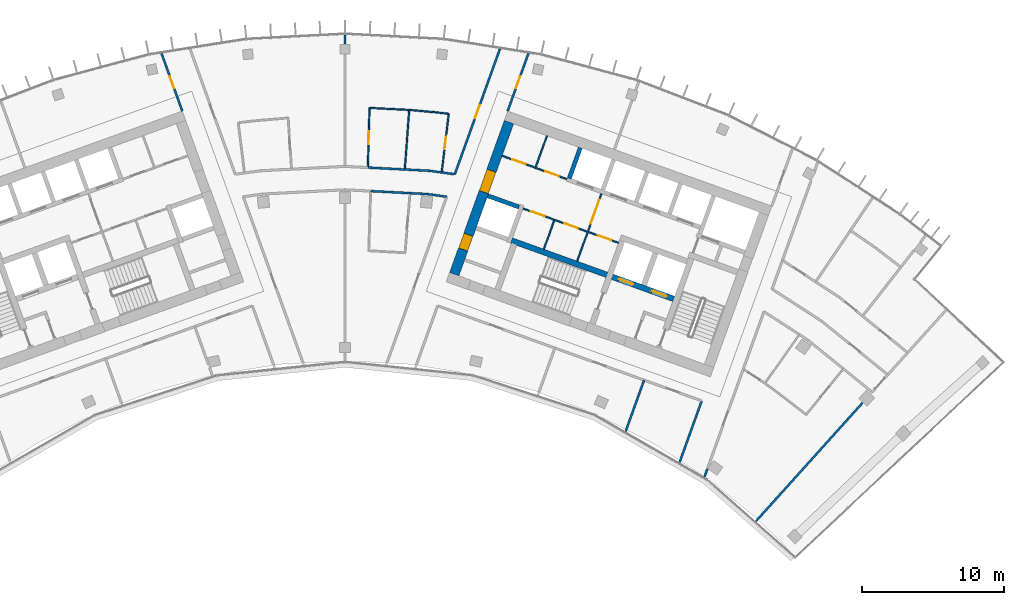
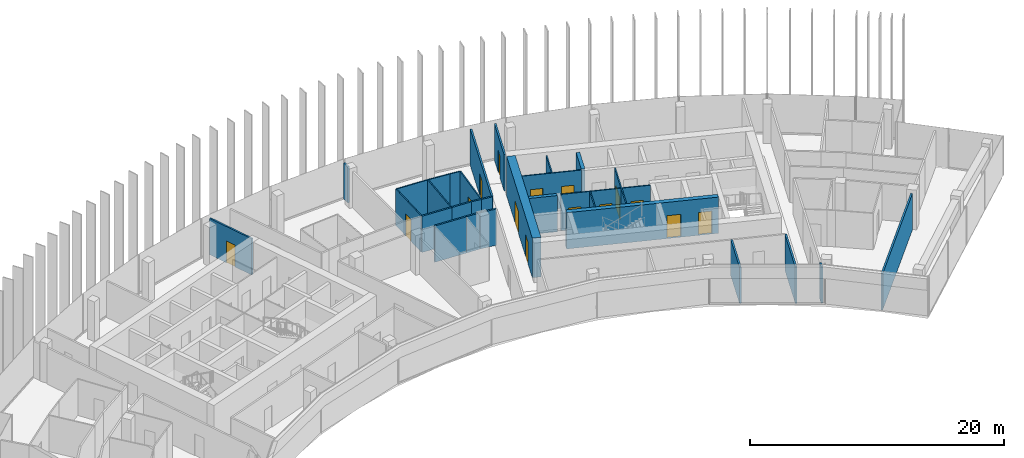
# One storey, part 16 of 19: 30 walls, 15 doors, 15 openings.
"""IFC4 building model written with IfcOpenShell, lengths in metres."""

from ifc_helpers import new_model, si_unit, direction, frame, frame_2d, origin, place, context, subcontext, project, spatial, rectangle, extrude, material, layer, layer_set, type_object, element, fill, save


model = new_model("IFC4")

# Units and contexts
model_context = context("Model", 3, precision=1e-05, world=origin(), true_north=direction((0.0, 1.0)))
body_context = subcontext(model_context, "Body", "Model", "MODEL_VIEW")
ifc_project = project(units=[si_unit("LENGTHUNIT", "METRE"), si_unit("AREAUNIT", "SQUARE_METRE"), si_unit("VOLUMEUNIT", "CUBIC_METRE"), si_unit("PLANEANGLEUNIT", "RADIAN"), si_unit("MASSUNIT", "GRAM", prefix="KILO")], contexts=[model_context])

# Site, building, storey
site_placement = place(None, origin())
site = spatial("IfcSite", under=ifc_project, at=site_placement, CompositionType="ELEMENT")
building_placement = place(site_placement, origin())
building = spatial("IfcBuilding", under=site, at=building_placement, Name="Stone Belt Terrace Tower", CompositionType="ELEMENT")
storey_placement = place(building_placement, frame((0.0, 0.0, 280.800048828125)))
storey = spatial("IfcBuildingStorey", under=building, at=storey_placement, Name="L68", CompositionType="ELEMENT", Elevation=280.800048828125)

# Wall, openings, doors
ifc_material_1 = material(Name="Plasterboard partition")
ifc_layer_1 = layer(ifc_material_1, 0.10009765625)
ifc_layer_set_1 = layer_set([ifc_layer_1], Name="Core partition 100")
wall_type_1 = type_object("IfcWallType", Name="Core partition 100", PredefinedType="PARTITIONING", material=ifc_layer_set_1)
wall_1_placement = place(storey_placement, frame((19.29052734375, 51.829833984375, 0.0), z_axis=(0.0, 0.0, 1.0), x_axis=(-0.94092179465, 0.338623945331, 0.0)))
wall_1 = element("IfcWall", 1, at=wall_1_placement, inside=storey, type_object=wall_type_1, Name="Core B wall", PredefinedType="PARTITIONING", context=body_context, shape_type="SweptSolid", body=[
    extrude(rectangle(XDim=7.14990234375, YDim=0.10009765625, at=frame_2d((3.574951171875, 0.0))), origin(), (0.0, 0.0, 1.0), 3.47998046875),
])
opening_1_placement = place(wall_1_placement, frame((0.550048828125, 0.0, 0.0)))
opening_1 = element("IfcOpeningElement", 2, at=opening_1_placement, cuts=wall_1, Name="Opening L68-C19", PredefinedType="OPENING", context=body_context, shape_type="SweptSolid", body=[
    extrude(rectangle(XDim=1.0, YDim=2.10009765625, at=frame_2d((0.5, 1.050048828125))), frame((0.0, 0.06005859375, 0.0), z_axis=(0.0, -1.0, 0.0), x_axis=(1.0, 0.0, 0.0)), (0.0, 0.0, 1.0), 0.1201171875),
])
opening_2_placement = place(wall_1_placement, frame((3.050048828125, 0.0, 0.0)))
opening_2 = element("IfcOpeningElement", 3, at=opening_2_placement, cuts=wall_1, Name="Opening L68-C20", PredefinedType="OPENING", context=body_context, shape_type="SweptSolid", body=[
    extrude(rectangle(XDim=1.0, YDim=2.10009765625, at=frame_2d((0.5, 1.050048828125))), frame((0.0, 0.06005859375, 0.0), z_axis=(0.0, -1.0, 0.0), x_axis=(1.0, 0.0, 0.0)), (0.0, 0.0, 1.0), 0.1201171875),
])
opening_3_placement = place(wall_1_placement, frame((5.550048828125, 0.0, 0.0)))
opening_3 = element("IfcOpeningElement", 4, at=opening_3_placement, cuts=wall_1, Name="Opening L68-C21", PredefinedType="OPENING", context=body_context, shape_type="SweptSolid", body=[
    extrude(rectangle(XDim=1.0, YDim=2.10009765625, at=frame_2d((0.5, 1.050048828125))), frame((0.0, 0.06005859375, 0.0), z_axis=(0.0, -1.0, 0.0), x_axis=(1.0, 0.0, 0.0)), (0.0, 0.0, 1.0), 0.1201171875),
])
ifc_material_2 = material(Name="Timber door leaf", Category="wood")
door_type_1 = type_object("IfcDoorType", Name="Core room door 1000", OperationType="SINGLE_SWING_LEFT", PredefinedType="DOOR", material=ifc_material_2)
door_1_placement = place(opening_1_placement, origin())
door_1 = element("IfcDoor", 5, at=door_1_placement, inside=storey, type_object=door_type_1, Name="Door to Electrical room core B", OperationType="SINGLE_SWING_RIGHT", OverallHeight=2.10009765625, OverallWidth=1.0, PredefinedType="DOOR", context=body_context, shape_type="SweptSolid", body=[
    extrude(rectangle(XDim=1.0, YDim=2.10009765625, at=frame_2d((0.5, 1.050048828125))), frame((0.0, 0.02490234375, 0.0), z_axis=(0.0, -1.0, 0.0), x_axis=(1.0, 0.0, 0.0)), (0.0, 0.0, 1.0), 0.050048828125),
])
fill(opening_1, door_1)
door_2_placement = place(opening_2_placement, origin())
door_2 = element("IfcDoor", 6, at=door_2_placement, inside=storey, type_object=door_type_1, Name="Door to Ventilation plant room core B", OperationType="SINGLE_SWING_LEFT", OverallHeight=2.10009765625, OverallWidth=1.0, PredefinedType="DOOR", context=body_context, shape_type="SweptSolid", body=[
    extrude(rectangle(XDim=1.0, YDim=2.10009765625, at=frame_2d((0.5, 1.050048828125))), frame((0.0, 0.02490234375, 0.0), z_axis=(0.0, -1.0, 0.0), x_axis=(1.0, 0.0, 0.0)), (0.0, 0.0, 1.0), 0.050048828125),
])
fill(opening_2, door_2)
door_3_placement = place(opening_3_placement, origin())
door_3 = element("IfcDoor", 7, at=door_3_placement, inside=storey, type_object=door_type_1, Name="Door to Services store core B", OperationType="SINGLE_SWING_RIGHT", OverallHeight=2.10009765625, OverallWidth=1.0, PredefinedType="DOOR", context=body_context, shape_type="SweptSolid", body=[
    extrude(rectangle(XDim=1.0, YDim=2.10009765625, at=frame_2d((0.5, 1.050048828125))), frame((0.0, 0.02490234375, 0.0), z_axis=(0.0, -1.0, 0.0), x_axis=(1.0, 0.0, 0.0)), (0.0, 0.0, 1.0), 0.050048828125),
])
fill(opening_3, door_3)

# Wall, opening, door
wall_2_placement = place(storey_placement, frame((16.38134765625, 50.53857421875, 0.0), z_axis=(0.0, 0.0, 1.0), x_axis=(0.33860476744, 0.940928696271, 0.0)))
wall_2 = element("IfcWall", 8, at=wall_2_placement, inside=storey, type_object=wall_type_1, Name="Core B wall", PredefinedType="PARTITIONING", context=body_context, shape_type="SweptSolid", body=[
    extrude(rectangle(XDim=5.050048828125, YDim=0.10009765625, at=frame_2d((2.52490234375, 0.0))), origin(), (0.0, 0.0, 1.0), 3.47998046875),
])
opening_4_placement = place(wall_2_placement, frame((2.800048828125, 0.0, 0.0)))
opening_4 = element("IfcOpeningElement", 9, at=opening_4_placement, cuts=wall_2, Name="Opening L68-C24", PredefinedType="OPENING", context=body_context, shape_type="SweptSolid", body=[
    extrude(rectangle(XDim=1.800048828125, YDim=2.10009765625, at=frame_2d((0.89990234375, 1.050048828125))), frame((0.0, 0.06005859375, 0.0), z_axis=(0.0, -1.0, 0.0), x_axis=(1.0, 0.0, 0.0)), (0.0, 0.0, 1.0), 0.1201171875),
])
ifc_material_3 = material(Name="Glazed aluminium door leaf", Category="aluminium")
door_type_2 = type_object("IfcDoorType", Name="Lift lobby entrance door 1800", OperationType="DOUBLE_DOOR_SINGLE_SWING", PredefinedType="DOOR", material=ifc_material_3)
door_4_placement = place(opening_4_placement, origin())
door_4 = element("IfcDoor", 10, at=door_4_placement, inside=storey, type_object=door_type_2, Name="Lift lobby double door core B", OperationType="DOUBLE_DOOR_SINGLE_SWING", OverallHeight=2.10009765625, OverallWidth=1.800048828125, PredefinedType="DOOR", context=body_context, shape_type="SweptSolid", body=[
    extrude(rectangle(XDim=1.800048828125, YDim=2.10009765625, at=frame_2d((0.89990234375, 1.050048828125))), frame((0.0, 0.02490234375, 0.0), z_axis=(0.0, -1.0, 0.0), x_axis=(1.0, 0.0, 0.0)), (0.0, 0.0, 1.0), 0.050048828125),
])
fill(opening_4, door_4)

# Wall
wall_3_placement = place(storey_placement, frame((14.029052734375, 51.38525390625, 0.0), z_axis=(0.0, 0.0, 1.0), x_axis=(0.338622960269, 0.940922149159, 0.0)))
element("IfcWall", 11, at=wall_3_placement, inside=storey, type_object=wall_type_1, Name="Core B wall", PredefinedType="PARTITIONING", context=body_context, shape_type="SweptSolid", body=[
    extrude(rectangle(XDim=2.14990234375, YDim=0.10009765625, at=frame_2d((1.074951171875, 0.0))), origin(), (0.0, 0.0, 1.0), 3.47998046875),
])

# Wall, openings, doors
wall_4_placement = place(storey_placement, frame((15.648681640625, 56.32861328125, 0.0), z_axis=(0.0, 0.0, 1.0), x_axis=(-0.940905377977, 0.338669558262, 0.0)))
wall_4 = element("IfcWall", 12, at=wall_4_placement, inside=storey, type_object=wall_type_1, Name="Core B wall", PredefinedType="PARTITIONING", context=body_context, shape_type="SweptSolid", body=[
    extrude(rectangle(XDim=4.85009765625, YDim=0.10009765625, at=frame_2d((2.425048828125, 0.0))), origin(), (0.0, 0.0, 1.0), 3.47998046875),
])
opening_5_placement = place(wall_4_placement, frame((0.60009765625, 0.0, 0.0)))
opening_5 = element("IfcOpeningElement", 13, at=opening_5_placement, cuts=wall_4, Name="Opening L68-C17", PredefinedType="OPENING", context=body_context, shape_type="SweptSolid", body=[
    extrude(rectangle(XDim=1.0, YDim=2.10009765625, at=frame_2d((0.5, 1.050048828125))), frame((0.0, 0.06005859375, 0.0), z_axis=(0.0, -1.0, 0.0), x_axis=(1.0, 0.0, 0.0)), (0.0, 0.0, 1.0), 0.1201171875),
])
opening_6_placement = place(wall_4_placement, frame((3.10009765625, 0.0, 0.0)))
opening_6 = element("IfcOpeningElement", 14, at=opening_6_placement, cuts=wall_4, Name="Opening L68-C18", PredefinedType="OPENING", context=body_context, shape_type="SweptSolid", body=[
    extrude(rectangle(XDim=1.0, YDim=2.10009765625, at=frame_2d((0.5, 1.050048828125))), frame((0.0, 0.06005859375, 0.0), z_axis=(0.0, -1.0, 0.0), x_axis=(1.0, 0.0, 0.0)), (0.0, 0.0, 1.0), 0.1201171875),
])
door_5_placement = place(opening_5_placement, origin())
door_5 = element("IfcDoor", 15, at=door_5_placement, inside=storey, type_object=door_type_1, Name="Door to Server room core B", OperationType="SINGLE_SWING_RIGHT", OverallHeight=2.10009765625, OverallWidth=1.0, PredefinedType="DOOR", context=body_context, shape_type="SweptSolid", body=[
    extrude(rectangle(XDim=1.0, YDim=2.10009765625, at=frame_2d((0.5, 1.050048828125))), frame((0.0, 0.02490234375, 0.0), z_axis=(0.0, -1.0, 0.0), x_axis=(1.0, 0.0, 0.0)), (0.0, 0.0, 1.0), 0.050048828125),
])
fill(opening_5, door_5)
door_6_placement = place(opening_6_placement, origin())
door_6 = element("IfcDoor", 16, at=door_6_placement, inside=storey, type_object=door_type_1, Name="Door to Plant room core B", OperationType="SINGLE_SWING_LEFT", OverallHeight=2.10009765625, OverallWidth=1.0, PredefinedType="DOOR", context=body_context, shape_type="SweptSolid", body=[
    extrude(rectangle(XDim=1.0, YDim=2.10009765625, at=frame_2d((0.5, 1.050048828125))), frame((0.0, 0.02490234375, 0.0), z_axis=(0.0, -1.0, 0.0), x_axis=(1.0, 0.0, 0.0)), (0.0, 0.0, 1.0), 0.050048828125),
])
fill(opening_6, door_6)

# Wall
wall_5_placement = place(storey_placement, frame((13.45458984375, 57.171630859375, 0.0), z_axis=(0.0, 0.0, 1.0), x_axis=(0.338579668317, 0.940937728121, 0.0)))
element("IfcWall", 17, at=wall_5_placement, inside=storey, type_object=wall_type_1, Name="Core B wall", PredefinedType="PARTITIONING", context=body_context, shape_type="SweptSolid", body=[
    extrude(rectangle(XDim=2.35009765625, YDim=0.10009765625, at=frame_2d((1.175048828125, 0.0))), origin(), (0.0, 0.0, 1.0), 3.47998046875),
])

# Wall, openings, doors
ifc_material_4 = material(Name="Concrete B60", Category="concrete")
ifc_layer_2 = layer(ifc_material_4, 0.699951171875)
ifc_layer_set_2 = layer_set([ifc_layer_2], Name="Core wall 700 B60")
wall_type_2 = type_object("IfcWallType", Name="Core wall 700 B60", PredefinedType="SHEAR", material=ifc_layer_set_2)
wall_6_placement = place(storey_placement, frame((7.70849609375, 49.621337890625, 0.0), z_axis=(0.0, 0.0, 1.0), x_axis=(0.338606471282, 0.940928083121, 0.0)))
wall_6 = element("IfcWall", 18, at=wall_6_placement, inside=storey, type_object=wall_type_2, Name="Core B wall end_a L68", PredefinedType="SHEAR", context=body_context, shape_type="SweptSolid", body=[
    extrude(rectangle(XDim=11.39990234375, YDim=0.699951171875, at=frame_2d((5.699951171875, 0.0))), origin(), (0.0, 0.0, 1.0), 3.800048828125),
])
opening_7_placement = place(wall_6_placement, frame((6.14990234375, 0.0, 0.0)))
opening_7 = element("IfcOpeningElement", 19, at=opening_7_placement, cuts=wall_6, Name="Opening L68-C25", PredefinedType="OPENING", context=body_context, shape_type="SweptSolid", body=[
    extrude(rectangle(XDim=1.60009765625, YDim=2.10009765625, at=frame_2d((0.800048828125, 1.050048828125))), frame((0.0, 0.35986328125, 0.0), z_axis=(0.0, -1.0, 0.0), x_axis=(1.0, 0.0, 0.0)), (0.0, 0.0, 1.0), 0.719970703125),
])
opening_8_placement = place(wall_6_placement, frame((1.85009765625, 0.0, 0.0)))
opening_8 = element("IfcOpeningElement", 20, at=opening_8_placement, cuts=wall_6, Name="Opening L68-C31", PredefinedType="OPENING", context=body_context, shape_type="SweptSolid", body=[
    extrude(rectangle(XDim=1.10009765625, YDim=2.10009765625, at=frame_2d((0.550048828125, 1.050048828125))), frame((0.0, 0.35986328125, 0.0), z_axis=(0.0, -1.0, 0.0), x_axis=(1.0, 0.0, 0.0)), (0.0, 0.0, 1.0), 0.719970703125),
])
door_type_3 = type_object("IfcDoorType", Name="Core room door 1100", OperationType="SINGLE_SWING_LEFT", PredefinedType="DOOR", material=ifc_material_2)
door_7_placement = place(opening_8_placement, origin())
door_7 = element("IfcDoor", 21, at=door_7_placement, inside=storey, type_object=door_type_3, Name="Door to Accessible WC core B", OperationType="SINGLE_SWING_LEFT", OverallHeight=2.10009765625, OverallWidth=1.10009765625, PredefinedType="DOOR", context=body_context, shape_type="SweptSolid", body=[
    extrude(rectangle(XDim=1.10009765625, YDim=2.10009765625, at=frame_2d((0.550048828125, 1.050048828125))), frame((0.0, 0.330078125, 0.0), z_axis=(0.0, -1.0, 0.0), x_axis=(1.0, 0.0, 0.0)), (0.0, 0.0, 1.0), 0.659912109375),
])
fill(opening_8, door_7)
door_type_4 = type_object("IfcDoorType", Name="Lift lobby entrance door 1600", OperationType="DOUBLE_DOOR_SINGLE_SWING", PredefinedType="DOOR", material=ifc_material_3)
door_8_placement = place(opening_7_placement, origin())
door_8 = element("IfcDoor", 22, at=door_8_placement, inside=storey, type_object=door_type_4, Name="Lift lobby entrance door core B", OperationType="DOUBLE_DOOR_SINGLE_SWING", OverallHeight=2.10009765625, OverallWidth=1.60009765625, PredefinedType="DOOR", context=body_context, shape_type="SweptSolid", body=[
    extrude(rectangle(XDim=1.60009765625, YDim=2.10009765625, at=frame_2d((0.800048828125, 1.050048828125))), frame((0.0, 0.330078125, 0.0), z_axis=(0.0, -1.0, 0.0), x_axis=(1.0, 0.0, 0.0)), (0.0, 0.0, 1.0), 0.659912109375),
])
fill(opening_7, door_8)

# Walls
ifc_material_5 = material(Name="Concrete B80", Category="concrete")
ifc_layer_3 = layer(ifc_material_5, 0.300048828125)
ifc_layer_set_3 = layer_set([ifc_layer_3], Name="Lift shaft wall 300")
wall_type_3 = type_object("IfcWallType", Name="Lift shaft wall 300", PredefinedType="SHEAR", material=ifc_layer_set_3)
wall_7_placement = place(storey_placement, frame((15.82373046875, 56.3720703125, 0.0), z_axis=(0.0, 0.0, 1.0), x_axis=(0.338621735342, 0.94092258999, 0.0)))
element("IfcWall", 23, at=wall_7_placement, inside=storey, type_object=wall_type_3, Name="Core B wall", PredefinedType="SHEAR", context=body_context, shape_type="SweptSolid", body=[
    extrude(rectangle(XDim=2.300048828125, YDim=0.300048828125, at=frame_2d((1.14990234375, 0.0))), origin(), (0.0, 0.0, 1.0), 3.47998046875),
])
wall_8_placement = place(storey_placement, frame((12.280517578125, 54.3525390625, 0.0), z_axis=(0.0, 0.0, 1.0), x_axis=(-0.940925816745, 0.338612769078, 0.0)))
element("IfcWall", 24, at=wall_8_placement, inside=storey, type_object=wall_type_3, Name="Core B wall", PredefinedType="SHEAR", context=body_context, shape_type="SweptSolid", body=[
    extrude(rectangle(XDim=2.349853515625, YDim=0.300048828125, at=frame_2d((1.1748046875, 0.0))), origin(), (0.0, 0.0, 1.0), 3.47998046875),
])
ifc_material_6 = material(Name="Gypsum board partition")
ifc_layer_4 = layer(ifc_material_6, 0.10009765625)
ifc_layer_set_4 = layer_set([ifc_layer_4], Name="PARTITION 100")
wall_type_4 = type_object("IfcWallType", Name="PARTITION 100", PredefinedType="PARTITIONING", material=ifc_layer_set_4)
wall_9_placement = place(storey_placement, frame((4.530029296875, 61.2060546875, 0.0), z_axis=(0.0, 0.0, 1.0), x_axis=(-0.998696331393, 0.05104544703, 0.0)))
element("IfcWall", 25, at=wall_9_placement, inside=storey, type_object=wall_type_4, Name="L68/wall/i112", PredefinedType="PARTITIONING", context=body_context, shape_type="SweptSolid", body=[
    extrude(rectangle(XDim=2.802734375, YDim=0.10009765625, at=frame_2d((1.4013671875, 0.0))), origin(), (0.0, 0.0, 1.0), 3.47998046875),
])

# Wall, opening, door
wall_10_placement = place(storey_placement, frame((1.73095703125, 61.34912109375, 0.0), z_axis=(0.0, 0.0, 1.0), x_axis=(-0.028011746804, -0.999607594029, 0.0)))
wall_10 = element("IfcWall", 26, at=wall_10_placement, inside=storey, type_object=wall_type_4, Name="L68/wall/i113", PredefinedType="PARTITIONING", context=body_context, shape_type="SweptSolid", body=[
    extrude(rectangle(XDim=4.209716796875, YDim=0.10009765625, at=frame_2d((2.10498046875, 0.0))), origin(), (0.0, 0.0, 1.0), 3.47998046875),
])
opening_9_placement = place(wall_10_placement, frame((1.65478515625, 0.0, 0.0)))
opening_9 = element("IfcOpeningElement", 27, at=opening_9_placement, cuts=wall_10, Name="Opening D-E2-32", PredefinedType="OPENING", context=body_context, shape_type="SweptSolid", body=[
    extrude(rectangle(XDim=0.89990234375, YDim=2.10009765625, at=frame_2d((0.449951171875, 1.050048828125))), frame((0.0, 0.06005859375, 0.0), z_axis=(0.0, -1.0, 0.0), x_axis=(1.0, 0.0, 0.0)), (0.0, 0.0, 1.0), 0.1201171875),
])
door_type_5 = type_object("IfcDoorType", Name="OFFICE DOOR 900 X 2100", OperationType="NOTDEFINED", PredefinedType="DOOR", material=ifc_material_2)
door_9_placement = place(opening_9_placement, origin())
door_9 = element("IfcDoor", 28, at=door_9_placement, inside=storey, type_object=door_type_5, Name="L68/door/i32", OperationType="SINGLE_SWING_RIGHT", OverallHeight=2.10009765625, OverallWidth=0.89990234375, PredefinedType="DOOR", context=body_context, shape_type="SweptSolid", body=[
    extrude(rectangle(XDim=0.89990234375, YDim=2.10009765625, at=frame_2d((0.449951171875, 1.050048828125))), frame((0.0, 0.02490234375, 0.0), z_axis=(0.0, -1.0, 0.0), x_axis=(1.0, 0.0, 0.0)), (0.0, 0.0, 1.0), 0.050048828125),
])
fill(opening_9, door_9)

wall_11_placement = place(storey_placement, frame((6.822021484375, 56.797119140625, 0.0), z_axis=(0.0, 0.0, 1.0), x_axis=(0.119267645101, 0.992862139893, 0.0)))
wall_11 = element("IfcWall", 29, at=wall_11_placement, inside=storey, type_object=wall_type_4, Name="L68/wall/i114", PredefinedType="PARTITIONING", context=body_context, shape_type="SweptSolid", body=[
    extrude(rectangle(XDim=4.167724609375, YDim=0.10009765625, at=frame_2d((2.083984375, 0.0))), origin(), (0.0, 0.0, 1.0), 3.47998046875),
])
opening_10_placement = place(wall_11_placement, frame((1.6337890625, 0.0, 0.0)))
opening_10 = element("IfcOpeningElement", 30, at=opening_10_placement, cuts=wall_11, Name="Opening D-E2-33", PredefinedType="OPENING", context=body_context, shape_type="SweptSolid", body=[
    extrude(rectangle(XDim=0.89990234375, YDim=2.10009765625, at=frame_2d((0.449951171875, 1.050048828125))), frame((0.0, 0.06005859375, 0.0), z_axis=(0.0, -1.0, 0.0), x_axis=(1.0, 0.0, 0.0)), (0.0, 0.0, 1.0), 0.1201171875),
])
door_10_placement = place(opening_10_placement, origin())
door_10 = element("IfcDoor", 31, at=door_10_placement, inside=storey, type_object=door_type_5, Name="L68/door/i33", OperationType="SINGLE_SWING_RIGHT", OverallHeight=2.10009765625, OverallWidth=0.89990234375, PredefinedType="DOOR", context=body_context, shape_type="SweptSolid", body=[
    extrude(rectangle(XDim=0.89990234375, YDim=2.10009765625, at=frame_2d((0.449951171875, 1.050048828125))), frame((0.0, 0.02490234375, 0.0), z_axis=(0.0, -1.0, 0.0), x_axis=(1.0, 0.0, 0.0)), (0.0, 0.0, 1.0), 0.050048828125),
])
fill(opening_10, door_10)

# Walls
wall_12_placement = place(storey_placement, frame((7.319091796875, 60.93505859375, 0.0), z_axis=(0.0, 0.0, 1.0), x_axis=(-0.993689136585, 0.112169068078, 0.0)))
element("IfcWall", 32, at=wall_12_placement, inside=storey, type_object=wall_type_4, Name="L68/wall/i115", PredefinedType="PARTITIONING", context=body_context, shape_type="SweptSolid", body=[
    extrude(rectangle(XDim=0.909912109375, YDim=0.10009765625, at=frame_2d((0.455078125, 0.0))), origin(), (0.0, 0.0, 1.0), 3.47998046875),
])
wall_13_placement = place(storey_placement, frame((6.4150390625, 61.037109375, 0.0), z_axis=(0.0, 0.0, 1.0), x_axis=(-0.996007653446, 0.089267879314, 0.0)))
element("IfcWall", 33, at=wall_13_placement, inside=storey, type_object=wall_type_4, Name="L68/wall/i116", PredefinedType="PARTITIONING", context=body_context, shape_type="SweptSolid", body=[
    extrude(rectangle(XDim=1.892578125, YDim=0.10009765625, at=frame_2d((0.9462890625, 0.0))), origin(), (0.0, 0.0, 1.0), 3.47998046875),
])
wall_14_placement = place(storey_placement, frame((4.530029296875, 61.2060546875, 0.0), z_axis=(0.0, 0.0, 1.0), x_axis=(-0.073816195319, -0.997271863289, 0.0)))
element("IfcWall", 34, at=wall_14_placement, inside=storey, type_object=wall_type_4, Name="L68/wall/i117", PredefinedType="PARTITIONING", context=body_context, shape_type="SweptSolid", body=[
    extrude(rectangle(XDim=4.213623046875, YDim=0.10009765625, at=frame_2d((2.10693359375, 0.0))), origin(), (0.0, 0.0, 1.0), 3.47998046875),
])

# Wall, opening, door
ifc_layer_5 = layer(ifc_material_6, 0.14990234375)
ifc_layer_set_5 = layer_set([ifc_layer_5], Name="PARTITION 150 EI 60")
wall_type_5 = type_object("IfcWallType", Name="PARTITION 150 EI 60", PredefinedType="PARTITIONING", material=ifc_layer_set_5)
wall_15_placement = place(storey_placement, frame((-11.47607421875, 61.125, 0.0), z_axis=(0.0, 0.0, 1.0), x_axis=(-0.338707450319, 0.940891738245, 0.0)))
wall_15 = element("IfcWall", 35, at=wall_15_placement, inside=storey, type_object=wall_type_5, Name="L68/wall/i008", PredefinedType="PARTITIONING", context=body_context, shape_type="SweptSolid", body=[
    extrude(rectangle(XDim=4.316162109375, YDim=0.14990234375, at=frame_2d((2.158203125, 0.0))), origin(), (0.0, 0.0, 1.0), 3.47998046875),
])
opening_11_placement = place(wall_15_placement, frame((1.7080078125, 0.0, 0.0)))
opening_11 = element("IfcOpeningElement", 36, at=opening_11_placement, cuts=wall_15, Name="Opening D-E2-05", PredefinedType="OPENING", context=body_context, shape_type="SweptSolid", body=[
    extrude(rectangle(XDim=0.89990234375, YDim=2.10009765625, at=frame_2d((0.449951171875, 1.050048828125))), frame((0.0, 0.0849609375, 0.0), z_axis=(0.0, -1.0, 0.0), x_axis=(1.0, 0.0, 0.0)), (0.0, 0.0, 1.0), 0.169921875),
])
door_11_placement = place(opening_11_placement, origin())
door_11 = element("IfcDoor", 37, at=door_11_placement, inside=storey, type_object=door_type_5, Name="L68/door/i05", OperationType="SINGLE_SWING_RIGHT", OverallHeight=2.10009765625, OverallWidth=0.89990234375, PredefinedType="DOOR", context=body_context, shape_type="SweptSolid", body=[
    extrude(rectangle(XDim=0.89990234375, YDim=2.10009765625, at=frame_2d((0.449951171875, 1.050048828125))), frame((0.0, 0.02490234375, 0.0), z_axis=(0.0, -1.0, 0.0), x_axis=(1.0, 0.0, 0.0)), (0.0, 0.0, 1.0), 0.050048828125),
])
fill(opening_11, door_11)

wall_16_placement = place(storey_placement, frame((12.93798828125, 65.18603515625, 0.0), z_axis=(0.0, 0.0, 1.0), x_axis=(-0.338707450319, -0.940891738245, 0.0)))
wall_16 = element("IfcWall", 38, at=wall_16_placement, inside=storey, type_object=wall_type_5, Name="L68/wall/i019", PredefinedType="PARTITIONING", context=body_context, shape_type="SweptSolid", body=[
    extrude(rectangle(XDim=4.316162109375, YDim=0.14990234375, at=frame_2d((2.158203125, 0.0))), origin(), (0.0, 0.0, 1.0), 3.47998046875),
])
opening_12_placement = place(wall_16_placement, frame((1.7080078125, 0.0, 0.0)))
opening_12 = element("IfcOpeningElement", 39, at=opening_12_placement, cuts=wall_16, Name="Opening D-E2-09", PredefinedType="OPENING", context=body_context, shape_type="SweptSolid", body=[
    extrude(rectangle(XDim=0.89990234375, YDim=2.10009765625, at=frame_2d((0.449951171875, 1.050048828125))), frame((0.0, 0.0849609375, 0.0), z_axis=(0.0, -1.0, 0.0), x_axis=(1.0, 0.0, 0.0)), (0.0, 0.0, 1.0), 0.169921875),
])
door_12_placement = place(opening_12_placement, origin())
door_12 = element("IfcDoor", 40, at=door_12_placement, inside=storey, type_object=door_type_5, Name="L68/door/i09", OperationType="SINGLE_SWING_RIGHT", OverallHeight=2.10009765625, OverallWidth=0.89990234375, PredefinedType="DOOR", context=body_context, shape_type="SweptSolid", body=[
    extrude(rectangle(XDim=0.89990234375, YDim=2.10009765625, at=frame_2d((0.449951171875, 1.050048828125))), frame((0.0, 0.02490234375, 0.0), z_axis=(0.0, -1.0, 0.0), x_axis=(1.0, 0.0, 0.0)), (0.0, 0.0, 1.0), 0.050048828125),
])
fill(opening_12, door_12)

wall_17_placement = place(storey_placement, frame((7.7451171875, 56.6640625, 0.0), z_axis=(0.0, 0.0, 1.0), x_axis=(0.338644933311, 0.94091424112, 0.0)))
wall_17 = element("IfcWall", 41, at=wall_17_placement, inside=storey, type_object=wall_type_5, Name="L68/wall/i021", PredefinedType="PARTITIONING", context=body_context, shape_type="SweptSolid", body=[
    extrude(rectangle(XDim=9.395263671875, YDim=0.14990234375, at=frame_2d((4.69775390625, 0.0))), origin(), (0.0, 0.0, 1.0), 3.47998046875),
])
opening_13_placement = place(wall_17_placement, frame((4.19775390625, 0.0, 0.0)))
opening_13 = element("IfcOpeningElement", 42, at=opening_13_placement, cuts=wall_17, Name="Opening D-E2-31", PredefinedType="OPENING", context=body_context, shape_type="SweptSolid", body=[
    extrude(rectangle(XDim=1.0, YDim=2.10009765625, at=frame_2d((0.5, 1.050048828125))), frame((0.0, 0.0849609375, 0.0), z_axis=(0.0, -1.0, 0.0), x_axis=(1.0, 0.0, 0.0)), (0.0, 0.0, 1.0), 0.169921875),
])
ifc_material_7 = material(Name="Timber fire door leaf", Category="wood")
door_type_6 = type_object("IfcDoorType", Name="TENANCY ENTRANCE DOOR 1000 X 2100", OperationType="NOTDEFINED", PredefinedType="DOOR", material=ifc_material_7)
door_13_placement = place(opening_13_placement, origin())
door_13 = element("IfcDoor", 43, at=door_13_placement, inside=storey, type_object=door_type_6, Name="L68/door/i31", OperationType="SINGLE_SWING_RIGHT", OverallHeight=2.10009765625, OverallWidth=1.0, PredefinedType="DOOR", context=body_context, shape_type="SweptSolid", body=[
    extrude(rectangle(XDim=1.0, YDim=2.10009765625, at=frame_2d((0.5, 1.050048828125))), frame((0.0, 0.02490234375, 0.0), z_axis=(0.0, -1.0, 0.0), x_axis=(1.0, 0.0, 0.0)), (0.0, 0.0, 1.0), 0.050048828125),
])
fill(opening_13, door_13)

# Walls
wall_18_placement = place(storey_placement, frame((23.5966796875, 36.330810546875, 0.0), z_axis=(0.0, 0.0, 1.0), x_axis=(0.338609342271, 0.94092704995, 0.0)))
element("IfcWall", 44, at=wall_18_placement, inside=storey, type_object=wall_type_5, Name="L68/wall/i022", PredefinedType="PARTITIONING", context=body_context, shape_type="SweptSolid", body=[
    extrude(rectangle(XDim=4.6318359375, YDim=0.14990234375, at=frame_2d((2.31591796875, 0.0))), origin(), (0.0, 0.0, 1.0), 3.47998046875),
])
wall_19_placement = place(storey_placement, frame((25.566162109375, 35.899658203125, 0.0), z_axis=(0.0, 0.0, 1.0), x_axis=(-0.338633814852, -0.940918242696, 0.0)))
element("IfcWall", 45, at=wall_19_placement, inside=storey, type_object=wall_type_5, Name="L68/wall/i025", PredefinedType="PARTITIONING", context=body_context, shape_type="SweptSolid", body=[
    extrude(rectangle(XDim=0.605712890625, YDim=0.14990234375, at=frame_2d((0.302734375, 0.0))), origin(), (0.0, 0.0, 1.0), 3.47998046875),
])
wall_20_placement = place(storey_placement, frame((21.097900390625, 42.14501953125, 0.0), z_axis=(0.0, 0.0, 1.0), x_axis=(-0.338586871173, -0.940935136271, 0.0)))
element("IfcWall", 46, at=wall_20_placement, inside=storey, type_object=wall_type_5, Name="L68/wall/i034", PredefinedType="PARTITIONING", context=body_context, shape_type="SweptSolid", body=[
    extrude(rectangle(XDim=3.846923828125, YDim=0.14990234375, at=frame_2d((1.92333984375, 0.0))), origin(), (0.0, 0.0, 1.0), 3.47998046875),
])
wall_21_placement = place(storey_placement, frame((28.97802734375, 32.182373046875, 0.0), z_axis=(0.0, 0.0, 1.0), x_axis=(0.669127577115, 0.74314755301, 0.0)))
element("IfcWall", 47, at=wall_21_placement, inside=storey, type_object=wall_type_5, Name="L68/wall/i061", PredefinedType="PARTITIONING", context=body_context, shape_type="SweptSolid", body=[
    extrude(rectangle(XDim=11.263671875, YDim=0.14990234375, at=frame_2d((5.6318359375, 0.0))), origin(), (0.0, 0.0, 1.0), 3.47998046875),
])
wall_22_placement = place(storey_placement, frame((7.176025390625, 55.0830078125, 0.0), z_axis=(0.0, 0.0, 1.0), x_axis=(-0.990675556397, 0.136242217972, 0.0)))
element("IfcWall", 48, at=wall_22_placement, inside=storey, type_object=wall_type_5, Name="L68/wall/i089", PredefinedType="PARTITIONING", context=body_context, shape_type="SweptSolid", body=[
    extrude(rectangle(XDim=1.3798828125, YDim=0.14990234375, at=frame_2d((0.68994140625, 0.0))), origin(), (0.0, 0.0, 1.0), 3.47998046875),
])
wall_23_placement = place(storey_placement, frame((5.80908203125, 55.27099609375, 0.0), z_axis=(0.0, 0.0, 1.0), x_axis=(-0.998648347827, 0.051975738405, 0.0)))
element("IfcWall", 49, at=wall_23_placement, inside=storey, type_object=wall_type_5, Name="L68/wall/i090", PredefinedType="PARTITIONING", context=body_context, shape_type="SweptSolid", body=[
    extrude(rectangle(XDim=1.230712890625, YDim=0.14990234375, at=frame_2d((0.615234375, 0.0))), origin(), (0.0, 0.0, 1.0), 3.47998046875),
])
wall_24_placement = place(storey_placement, frame((4.592041015625, 55.3349609375, 0.0), z_axis=(0.0, 0.0, 1.0), x_axis=(-0.998630847524, 0.052310901088, 0.0)))
element("IfcWall", 50, at=wall_24_placement, inside=storey, type_object=wall_type_5, Name="L68/wall/i091", PredefinedType="PARTITIONING", context=body_context, shape_type="SweptSolid", body=[
    extrude(rectangle(XDim=2.791015625, YDim=0.14990234375, at=frame_2d((1.3955078125, 0.0))), origin(), (0.0, 0.0, 1.0), 3.47998046875),
])
wall_25_placement = place(storey_placement, frame((6.81591796875, 56.798095703125, 0.0), z_axis=(0.0, 0.0, 1.0), x_axis=(0.990658674146, -0.13636491975, 0.0)))
element("IfcWall", 51, at=wall_25_placement, inside=storey, type_object=wall_type_5, Name="L68/wall/i097", PredefinedType="PARTITIONING", context=body_context, shape_type="SweptSolid", body=[
    extrude(rectangle(XDim=0.93994140625, YDim=0.14990234375, at=frame_2d((0.469970703125, 0.0))), origin(), (0.0, 0.0, 1.0), 3.47998046875),
])
wall_26_placement = place(storey_placement, frame((1.60693359375, 57.14111328125, 0.0), z_axis=(0.0, 0.0, 1.0), x_axis=(0.998629637079, -0.052334003734, 0.0)))
element("IfcWall", 52, at=wall_26_placement, inside=storey, type_object=wall_type_5, Name="L68/wall/i098", PredefinedType="PARTITIONING", context=body_context, shape_type="SweptSolid", body=[
    extrude(rectangle(XDim=2.621826171875, YDim=0.14990234375, at=frame_2d((1.31103515625, 0.0))), origin(), (0.0, 0.0, 1.0), 3.47998046875),
])
wall_27_placement = place(storey_placement, frame((4.212890625, 57.0048828125, 0.0), z_axis=(0.0, 0.0, 1.0), x_axis=(0.998627710138, -0.052370760399, 0.0)))
element("IfcWall", 53, at=wall_27_placement, inside=storey, type_object=wall_type_5, Name="L68/wall/i099", PredefinedType="PARTITIONING", context=body_context, shape_type="SweptSolid", body=[
    extrude(rectangle(XDim=1.771484375, YDim=0.14990234375, at=frame_2d((0.8857421875, 0.0))), origin(), (0.0, 0.0, 1.0), 3.47998046875),
])
wall_28_placement = place(storey_placement, frame((5.98193359375, 56.912109375, 0.0), z_axis=(0.0, 0.0, 1.0), x_axis=(0.990695712671, -0.13609557265, 0.0)))
element("IfcWall", 54, at=wall_28_placement, inside=storey, type_object=wall_type_5, Name="L68/wall/i100", PredefinedType="PARTITIONING", context=body_context, shape_type="SweptSolid", body=[
    extrude(rectangle(XDim=0.85400390625, YDim=0.14990234375, at=frame_2d((0.427001953125, 0.0))), origin(), (0.0, 0.0, 1.0), 3.47998046875),
])
wall_29_placement = place(storey_placement, frame((0.0, 66.5, 0.0), z_axis=(0.0, 0.0, 1.0), x_axis=(0.0, -1.0, 0.0)))
element("IfcWall", 55, at=wall_29_placement, inside=storey, type_object=wall_type_5, Name="L68/wall/i110", PredefinedType="PARTITIONING", context=body_context, shape_type="SweptSolid", body=[
    extrude(rectangle(XDim=0.631103515625, YDim=0.14990234375, at=frame_2d((0.3154296875, 0.0))), origin(), (0.0, 0.0, 1.0), 3.47998046875),
])

# Wall, openings, doors
ifc_layer_6 = layer(ifc_material_5, 0.39990234375)
ifc_layer_set_6 = layer_set([ifc_layer_6], Name="Stair enclosure wall 400")
wall_type_6 = type_object("IfcWallType", Name="Stair enclosure wall 400", PredefinedType="SHEAR", material=ifc_layer_set_6)
wall_30_placement = place(storey_placement, frame((23.182373046875, 47.87841796875, 0.0), z_axis=(0.0, 0.0, 1.0), x_axis=(-0.940921731919, 0.338624119641, 0.0)))
wall_30 = element("IfcWall", 56, at=wall_30_placement, inside=storey, type_object=wall_type_6, Name="Core B wall", PredefinedType="SHEAR", context=body_context, shape_type="SweptSolid", body=[
    extrude(rectangle(XDim=12.14990234375, YDim=0.39990234375, at=frame_2d((6.074951171875, 0.0))), origin(), (0.0, 0.0, 1.0), 3.47998046875),
])
opening_14_placement = place(wall_30_placement, frame((0.52001953125, 0.0, 0.0)))
opening_14 = element("IfcOpeningElement", 57, at=opening_14_placement, cuts=wall_30, Name="Opening L68-LD12", PredefinedType="OPENING", context=body_context, shape_type="SweptSolid", body=[
    extrude(rectangle(XDim=1.10009765625, YDim=2.199951171875, at=frame_2d((0.550048828125, 1.10009765625))), frame((0.0, 0.2099609375, 0.0), z_axis=(0.0, -1.0, 0.0), x_axis=(1.0, 0.0, 0.0)), (0.0, 0.0, 1.0), 0.419921875),
])
opening_15_placement = place(wall_30_placement, frame((3.02001953125, 0.0, 0.0)))
opening_15 = element("IfcOpeningElement", 58, at=opening_15_placement, cuts=wall_30, Name="Opening L68-LD13", PredefinedType="OPENING", context=body_context, shape_type="SweptSolid", body=[
    extrude(rectangle(XDim=1.10009765625, YDim=2.199951171875, at=frame_2d((0.550048828125, 1.10009765625))), frame((0.0, 0.2099609375, 0.0), z_axis=(0.0, -1.0, 0.0), x_axis=(1.0, 0.0, 0.0)), (0.0, 0.0, 1.0), 0.419921875),
])
ifc_material_8 = material(Name="Stainless steel door leaf", Category="steel")
door_type_7 = type_object("IfcDoorType", Name="Landing door 1100", OperationType="SLIDING_TO_LEFT", PredefinedType="DOOR", material=ifc_material_8)
door_14_placement = place(opening_14_placement, origin())
door_14 = element("IfcDoor", 59, at=door_14_placement, inside=storey, type_object=door_type_7, Name="Landing door FF1 core B", OperationType="SLIDING_TO_LEFT", OverallHeight=2.199951171875, OverallWidth=1.10009765625, PredefinedType="DOOR", context=body_context, shape_type="SweptSolid", body=[
    extrude(rectangle(XDim=1.10009765625, YDim=2.199951171875, at=frame_2d((0.550048828125, 1.10009765625))), frame((0.0, 0.02490234375, 0.0), z_axis=(0.0, -1.0, 0.0), x_axis=(1.0, 0.0, 0.0)), (0.0, 0.0, 1.0), 0.050048828125),
])
fill(opening_14, door_14)
door_15_placement = place(opening_15_placement, origin())
door_15 = element("IfcDoor", 60, at=door_15_placement, inside=storey, type_object=door_type_7, Name="Landing door FF2 core B", OperationType="SLIDING_TO_LEFT", OverallHeight=2.199951171875, OverallWidth=1.10009765625, PredefinedType="DOOR", context=body_context, shape_type="SweptSolid", body=[
    extrude(rectangle(XDim=1.10009765625, YDim=2.199951171875, at=frame_2d((0.550048828125, 1.10009765625))), frame((0.0, 0.02490234375, 0.0), z_axis=(0.0, -1.0, 0.0), x_axis=(1.0, 0.0, 0.0)), (0.0, 0.0, 1.0), 0.050048828125),
])
fill(opening_15, door_15)

save(model, "model.ifc")
